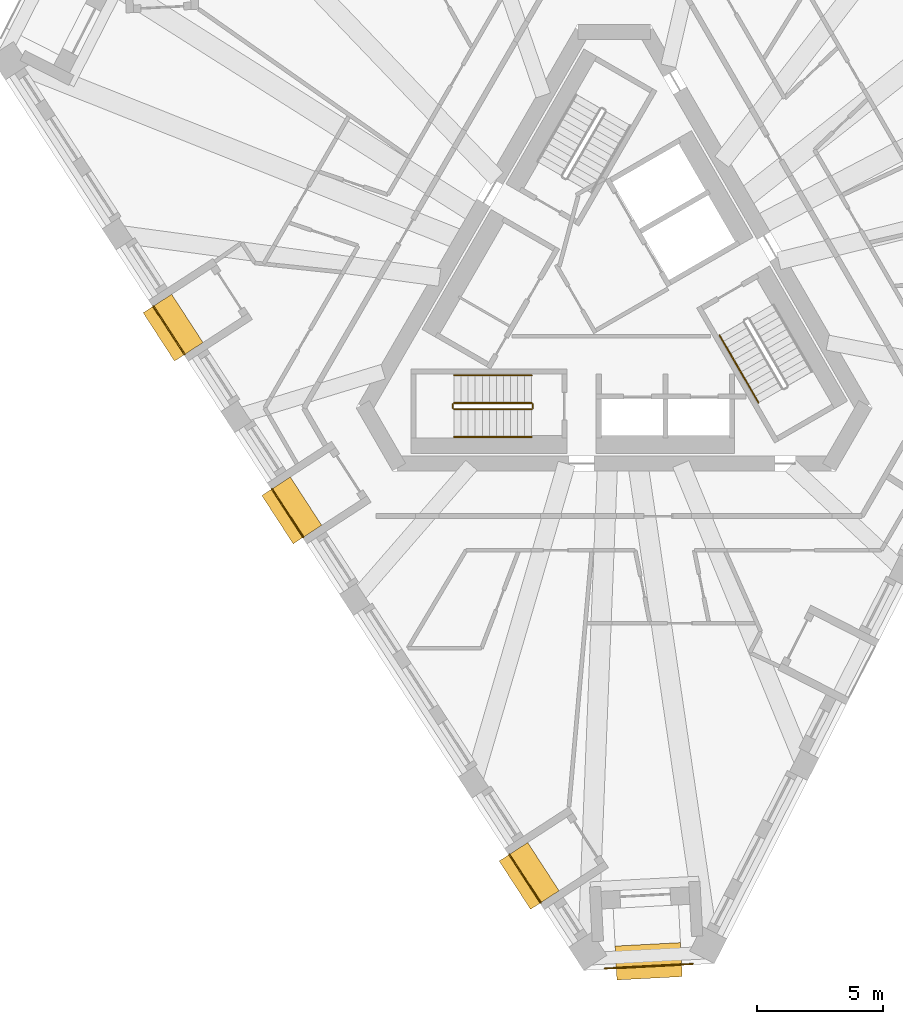
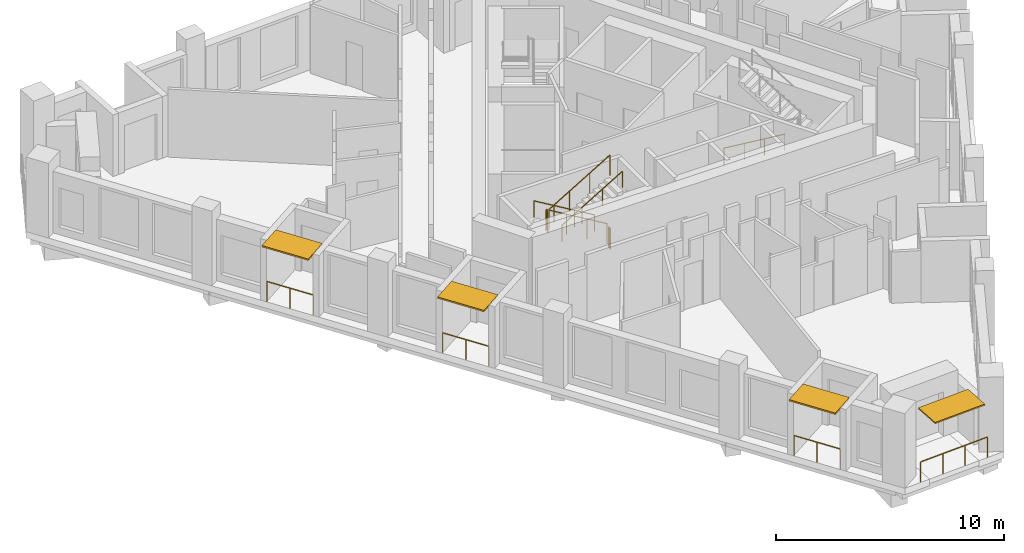
# One storey, part 10 of 13: 11 railings, 4 shading devices.
"""IFC4 building model written with IfcOpenShell, lengths in metres."""

from ifc_helpers import new_model, si_unit, direction, frame, origin, origin_2d, place, context, subcontext, project, spatial, rectangle, circle, extrude, material, layer, layer_set, type_object, element, save


model = new_model("IFC4")

# Units and contexts
model_context = context("Model", 3, precision=1e-05, world=origin(), true_north=direction((0.0, 1.0)))
body_context = subcontext(model_context, "Body", "Model", "MODEL_VIEW")
ifc_project = project(units=[si_unit("LENGTHUNIT", "METRE"), si_unit("AREAUNIT", "SQUARE_METRE"), si_unit("VOLUMEUNIT", "CUBIC_METRE"), si_unit("PLANEANGLEUNIT", "RADIAN"), si_unit("MASSUNIT", "GRAM", prefix="KILO")], contexts=[model_context])

# Site, building, storey
site_placement = place(None, origin())
site = spatial("IfcSite", under=ifc_project, at=site_placement, CompositionType="ELEMENT")
building_placement = place(site_placement, origin())
building = spatial("IfcBuilding", under=site, at=building_placement, Name="Tramontana Tower", CompositionType="ELEMENT")
storey_placement = place(building_placement, frame((0.0, 0.0, 290.39990234375)))
storey = spatial("IfcBuildingStorey", under=building, at=storey_placement, Name="L68", CompositionType="ELEMENT", Elevation=290.39990234375)

# Railings
ifc_material_1 = material(Name="Laminated glass balustrade", Category="glass")
railing_type_1 = type_object("IfcRailingType", Name="GD1 Loggia glass balustrade 1100", PredefinedType="BALUSTRADE", material=ifc_material_1)
railing_1_placement = place(storey_placement, frame((-18.313720703125, -0.20361328125, 0.0)))
element("IfcRailing", 1, at=railing_1_placement, inside=storey, type_object=railing_type_1, Name="Loggia balustrade L68 G7S0.4", PredefinedType="BALUSTRADE", context=body_context, shape_type="SweptSolid", body=[
    extrude(circle(Radius=0.02392578125, at=origin_2d()), frame((0.0, 0.0, 1.076171875), z_axis=(0.544706869801, -0.83862651162, 0.0), x_axis=(0.83862651162, 0.544706869801, 0.0)), (0.0, 0.0, 1.0), 2.286865234375),
    extrude(circle(Radius=0.02099609375, at=origin_2d()), origin(), (0.0, 0.0, 1.0), 1.052001953125),
    extrude(circle(Radius=0.02099609375, at=origin_2d()), frame((0.622802734375, -0.958984375, 0.0)), (0.0, 0.0, 1.0), 1.052001953125),
    extrude(circle(Radius=0.02099609375, at=origin_2d()), frame((1.24560546875, -1.917724609375, 0.0)), (0.0, 0.0, 1.0), 1.052001953125),
])
railing_2_placement = place(storey_placement, frame((-13.596923828125, -7.466552734375, 0.0)))
element("IfcRailing", 2, at=railing_2_placement, inside=storey, type_object=railing_type_1, Name="Loggia balustrade L68 G7S0.7", PredefinedType="BALUSTRADE", context=body_context, shape_type="SweptSolid", body=[
    extrude(circle(Radius=0.02392578125, at=origin_2d()), frame((0.0, 0.0, 1.076171875), z_axis=(0.544583011522, -0.838706947367, 0.0), x_axis=(0.838706947367, 0.544583011522, 0.0)), (0.0, 0.0, 1.0), 2.286865234375),
    extrude(circle(Radius=0.02099609375, at=origin_2d()), origin(), (0.0, 0.0, 1.0), 1.052001953125),
    extrude(circle(Radius=0.02099609375, at=origin_2d()), frame((0.62255859375, -0.958984375, 0.0)), (0.0, 0.0, 1.0), 1.052001953125),
    extrude(circle(Radius=0.02099609375, at=origin_2d()), frame((1.245361328125, -1.91796875, 0.0)), (0.0, 0.0, 1.0), 1.052001953125),
])
railing_3_placement = place(storey_placement, frame((-4.16357421875, -21.992919921875, 0.0)))
element("IfcRailing", 3, at=railing_3_placement, inside=storey, type_object=railing_type_1, Name="Loggia balustrade L68 G7S0.13", PredefinedType="BALUSTRADE", context=body_context, shape_type="SweptSolid", body=[
    extrude(circle(Radius=0.02392578125, at=origin_2d()), frame((0.0, 0.0, 1.076171875), z_axis=(0.544706869801, -0.83862651162, 0.0), x_axis=(0.83862651162, 0.544706869801, 0.0)), (0.0, 0.0, 1.0), 2.286865234375),
    extrude(circle(Radius=0.02099609375, at=origin_2d()), origin(), (0.0, 0.0, 1.0), 1.052001953125),
    extrude(circle(Radius=0.02099609375, at=origin_2d()), frame((0.622802734375, -0.958984375, 0.0)), (0.0, 0.0, 1.0), 1.052001953125),
    extrude(circle(Radius=0.02099609375, at=origin_2d()), frame((1.24560546875, -1.917724609375, 0.0)), (0.0, 0.0, 1.0), 1.052001953125),
])
railing_4_placement = place(storey_placement, frame((3.1328125, -26.342041015625, 0.0)))
element("IfcRailing", 4, at=railing_4_placement, inside=storey, type_object=railing_type_1, Name="Corner loggia balustrade L68 K71", PredefinedType="BALUSTRADE", context=body_context, shape_type="SweptSolid", body=[
    extrude(circle(Radius=0.02392578125, at=origin_2d()), frame((0.0, 0.0, 1.076171875), z_axis=(-0.998626871225, -0.0523867547, 0.0), x_axis=(0.0523867547, -0.998626871225, 0.0)), (0.0, 0.0, 1.0), 3.5),
    extrude(circle(Radius=0.02099609375, at=origin_2d()), origin(), (0.0, 0.0, 1.0), 1.052001953125),
    extrude(circle(Radius=0.02099609375, at=origin_2d()), frame((-1.1650390625, -0.06103515625, 0.0)), (0.0, 0.0, 1.0), 1.052001953125),
    extrude(circle(Radius=0.02099609375, at=origin_2d()), frame((-2.330078125, -0.122314453125, 0.0)), (0.0, 0.0, 1.0), 1.052001953125),
    extrude(circle(Radius=0.02099609375, at=origin_2d()), frame((-3.4951171875, -0.183349609375, 0.0)), (0.0, 0.0, 1.0), 1.052001953125),
])

# Shading devices
ifc_material_2 = material(Name="Precast concrete 60 MPa", Category="concrete")
ifc_layer_1 = layer(ifc_material_2, 0.070068359375)
ifc_layer_set_1 = layer_set([ifc_layer_1], Name="SS2 Stone sunshade blade 70")
shading_device_type_1 = type_object("IfcShadingDeviceType", Name="SS2 Stone sunshade blade 70", PredefinedType="USERDEFINED", material=ifc_layer_set_1)
shading_device_placement = place(storey_placement, frame((1.375244140625, -26.239013671875, 3.22998046875), z_axis=(0.0, 0.0, 1.0), x_axis=(-0.998629534755, -0.052335956243, 0.0)))
element("IfcShadingDevice", 5, at=shading_device_placement, inside=storey, type_object=shading_device_type_1, Name="Corner sunshade L68 K71", ObjectType="SUNSHADE", PredefinedType="USERDEFINED", context=body_context, shape_type="SweptSolid", body=[
    extrude(rectangle(XDim=2.60009765625, YDim=1.35009765625, at=origin_2d()), origin(), (0.0, 0.0, 1.0), 0.070068359375),
])
ifc_material_3 = material(Name="Precast concrete 60 MPa", Category="concrete")
ifc_layer_2 = layer(ifc_material_3, 0.080078125)
ifc_layer_set_2 = layer_set([ifc_layer_2], Name="SS3 Stone sunshade blade 80")
shading_device_type_2 = type_object("IfcShadingDeviceType", Name="SS3 Stone sunshade blade 80", PredefinedType="USERDEFINED", material=ifc_layer_set_2)
for number, where, z_axis, x_axis, name in (
    (6, (-17.52734375, -1.05615234375, 3.219970703125), (0.0, 0.0, 1.0), (0.544639035015, -0.838670567945, 0.0), "Sunshade L68 G7S0.4"),
    (7, (-12.810791015625, -8.3193359375, 3.219970703125), (0.0, 0.0, 1.0), (0.544639035015, -0.838670567945, 0.0), "Sunshade L68 G7S0.7"),
    (8, (-3.377197265625, -22.845458984375, 3.219970703125), (0.0, 0.0, 1.0), (0.544639035015, -0.838670567945, 0.0), "Sunshade L68 G7S0.13"),
):
    element("IfcShadingDevice", number, at=place(storey_placement, frame(where, z_axis=z_axis, x_axis=x_axis)), inside=storey, type_object=shading_device_type_2, Name=name, ObjectType="SUNSHADE", PredefinedType="USERDEFINED", context=body_context, shape_type="SweptSolid", body=[
        extrude(rectangle(XDim=2.286865234375, YDim=1.35009765625, at=origin_2d()), origin(), (0.0, 0.0, 1.0), 0.080078125),
    ])

# Railings
ifc_material_4 = material(Name="Painted steel", Category="steel")
railing_type_2 = type_object("IfcRailingType", Name="STAIR GUARD 1100", PredefinedType="GUARDRAIL", material=ifc_material_4)
railing_5_placement = place(storey_placement, frame((-3.280029296875, -4.050048828125, 0.166748046875)))
element("IfcRailing", 9, at=railing_5_placement, inside=storey, type_object=railing_type_2, Name="L68 ST2 stair guard 1", PredefinedType="GUARDRAIL", context=body_context, shape_type="SweptSolid", body=[
    extrude(circle(Radius=0.02392578125, at=origin_2d()), frame((0.0, 0.0, 1.076171875), z_axis=(-0.859308565015, 0.0, 0.511457515432), x_axis=(0.0, -1.0, 0.0)), (0.0, 0.0, 1.0), 3.58447265625),
    extrude(circle(Radius=0.02099609375, at=origin_2d()), origin(), (0.0, 0.0, 1.0), 1.052001953125),
    extrude(circle(Radius=0.02099609375, at=origin_2d()), frame((-1.026611328125, 0.0, 0.611083984375)), (0.0, 0.0, 1.0), 1.052001953125),
    extrude(circle(Radius=0.02099609375, at=origin_2d()), frame((-2.053466796875, 0.0, 1.22216796875)), (0.0, 0.0, 1.0), 1.052001953125),
    extrude(circle(Radius=0.02099609375, at=origin_2d()), frame((-3.080078125, 0.0, 1.833251953125)), (0.0, 0.0, 1.0), 1.052001953125),
])
railing_6_placement = place(storey_placement, frame((-6.360107421875, -4.300048828125, 2.166748046875)))
element("IfcRailing", 10, at=railing_6_placement, inside=storey, type_object=railing_type_2, Name="L68 ST2 stair guard 2", PredefinedType="GUARDRAIL", context=body_context, shape_type="SweptSolid", body=[
    extrude(circle(Radius=0.02392578125, at=origin_2d()), frame((0.0, 0.0, 1.076171875), z_axis=(0.859308565015, 0.0, 0.511457515432), x_axis=(0.0, 1.0, 0.0)), (0.0, 0.0, 1.0), 3.58447265625),
    extrude(circle(Radius=0.02099609375, at=origin_2d()), origin(), (0.0, 0.0, 1.0), 1.052001953125),
    extrude(circle(Radius=0.02099609375, at=origin_2d()), frame((1.026611328125, 0.0, 0.611083984375)), (0.0, 0.0, 1.0), 1.052001953125),
    extrude(circle(Radius=0.02099609375, at=origin_2d()), frame((2.053466796875, 0.0, 1.22216796875)), (0.0, 0.0, 1.0), 1.052001953125),
    extrude(circle(Radius=0.02099609375, at=origin_2d()), frame((3.080078125, 0.0, 1.833251953125)), (0.0, 0.0, 1.0), 1.052001953125),
])
for number, where, name in (
    (11, (-6.409912109375, -4.10009765625, 2.0), "L68 ST2 stair guard 3"),
    (12, (-3.22998046875, -4.10009765625, 0.0), "L68 ST2 stair guard 4"),
):
    element("IfcRailing", number, at=place(storey_placement, frame(where)), inside=storey, type_object=railing_type_2, Name=name, PredefinedType="GUARDRAIL", context=body_context, shape_type="SweptSolid", body=[
        extrude(circle(Radius=0.02392578125, at=origin_2d()), frame((0.0, 0.0, 1.076171875), z_axis=(0.0, -1.0, 0.0), x_axis=(1.0, 0.0, 0.0)), (0.0, 0.0, 1.0), 0.14990234375),
        extrude(circle(Radius=0.02099609375, at=origin_2d()), origin(), (0.0, 0.0, 1.0), 1.052001953125),
        extrude(circle(Radius=0.02099609375, at=origin_2d()), frame((0.0, -0.14990234375, 0.0)), (0.0, 0.0, 1.0), 1.052001953125),
    ])
ifc_material_5 = material(Name="Painted steel", Category="steel")
railing_type_3 = type_object("IfcRailingType", Name="STAIR HANDRAIL 900", PredefinedType="HANDRAIL", material=ifc_material_5)
railing_7_placement = place(storey_placement, frame((-3.280029296875, -2.949951171875, 0.166748046875)))
element("IfcRailing", 13, at=railing_7_placement, inside=storey, type_object=railing_type_3, Name="L68 ST2 stair handrail 1", PredefinedType="HANDRAIL", context=body_context, shape_type="SweptSolid", body=[
    extrude(circle(Radius=0.02392578125, at=origin_2d()), frame((0.0, 0.0, 0.8759765625), z_axis=(-0.859308565015, 0.0, 0.511457515432), x_axis=(0.0, -1.0, 0.0)), (0.0, 0.0, 1.0), 3.58447265625),
    extrude(circle(Radius=0.02099609375, at=origin_2d()), origin(), (0.0, 0.0, 1.0), 0.851806640625),
    extrude(circle(Radius=0.02099609375, at=origin_2d()), frame((-1.026611328125, 0.0, 0.611083984375)), (0.0, 0.0, 1.0), 0.851806640625),
    extrude(circle(Radius=0.02099609375, at=origin_2d()), frame((-2.053466796875, 0.0, 1.22216796875)), (0.0, 0.0, 1.0), 0.851806640625),
    extrude(circle(Radius=0.02099609375, at=origin_2d()), frame((-3.080078125, 0.0, 1.833251953125)), (0.0, 0.0, 1.0), 0.851806640625),
])
railing_8_placement = place(storey_placement, frame((-6.360107421875, -5.39990234375, 2.166748046875)))
element("IfcRailing", 14, at=railing_8_placement, inside=storey, type_object=railing_type_3, Name="L68 ST2 stair handrail 2", PredefinedType="HANDRAIL", context=body_context, shape_type="SweptSolid", body=[
    extrude(circle(Radius=0.02392578125, at=origin_2d()), frame((0.0, 0.0, 0.8759765625), z_axis=(0.859308565015, 0.0, 0.511457515432), x_axis=(0.0, 1.0, 0.0)), (0.0, 0.0, 1.0), 3.58447265625),
    extrude(circle(Radius=0.02099609375, at=origin_2d()), origin(), (0.0, 0.0, 1.0), 0.851806640625),
    extrude(circle(Radius=0.02099609375, at=origin_2d()), frame((1.026611328125, 0.0, 0.611083984375)), (0.0, 0.0, 1.0), 0.851806640625),
    extrude(circle(Radius=0.02099609375, at=origin_2d()), frame((2.053466796875, 0.0, 1.22216796875)), (0.0, 0.0, 1.0), 0.851806640625),
    extrude(circle(Radius=0.02099609375, at=origin_2d()), frame((3.080078125, 0.0, 1.833251953125)), (0.0, 0.0, 1.0), 0.851806640625),
])
railing_9_placement = place(storey_placement, frame((4.19482421875, -1.365478515625, 0.166748046875)))
element("IfcRailing", 15, at=railing_9_placement, inside=storey, type_object=railing_type_3, Name="L68 ST3 stair handrail 1", PredefinedType="HANDRAIL", context=body_context, shape_type="SweptSolid", body=[
    extrude(circle(Radius=0.02392578125, at=origin_2d()), frame((0.0, 0.0, 0.8759765625), z_axis=(0.429649414936, -0.744189839504, 0.511451721109), x_axis=(0.866029832698, 0.499992328818, 0.0)), (0.0, 0.0, 1.0), 3.58447265625),
    extrude(circle(Radius=0.02099609375, at=origin_2d()), origin(), (0.0, 0.0, 1.0), 0.851806640625),
    extrude(circle(Radius=0.02099609375, at=origin_2d()), frame((0.513427734375, -0.88916015625, 0.611083984375)), (0.0, 0.0, 1.0), 0.851806640625),
    extrude(circle(Radius=0.02099609375, at=origin_2d()), frame((1.026611328125, -1.7783203125, 1.22216796875)), (0.0, 0.0, 1.0), 0.851806640625),
    extrude(circle(Radius=0.02099609375, at=origin_2d()), frame((1.5400390625, -2.66748046875, 1.833251953125)), (0.0, 0.0, 1.0), 0.851806640625),
])

save(model, "model.ifc")
